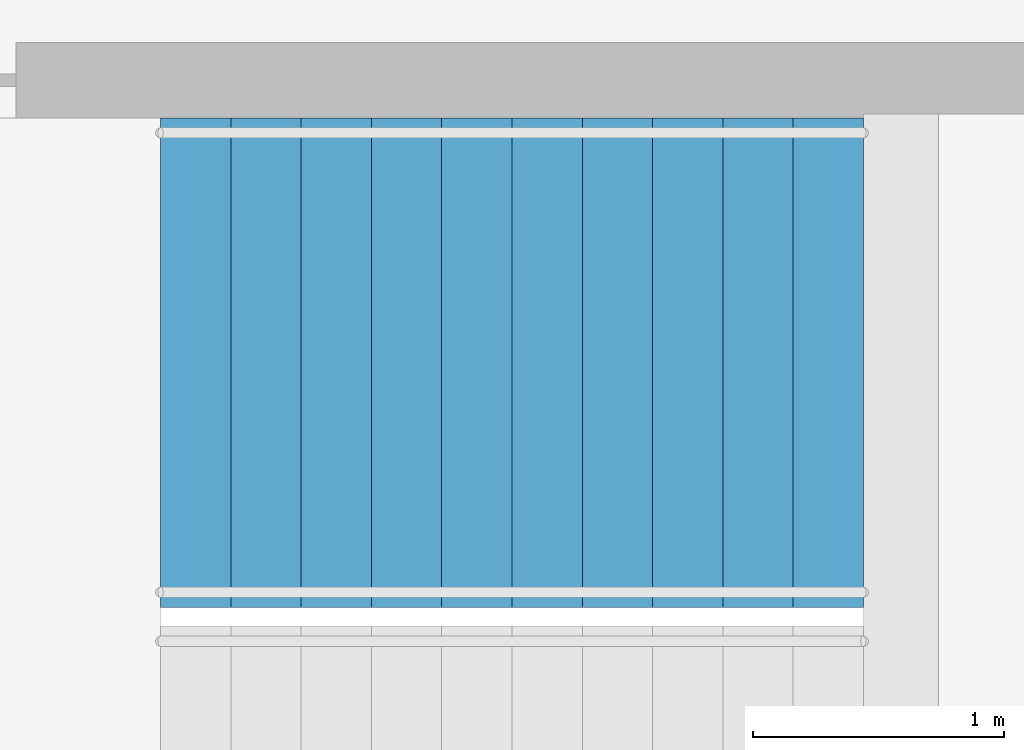
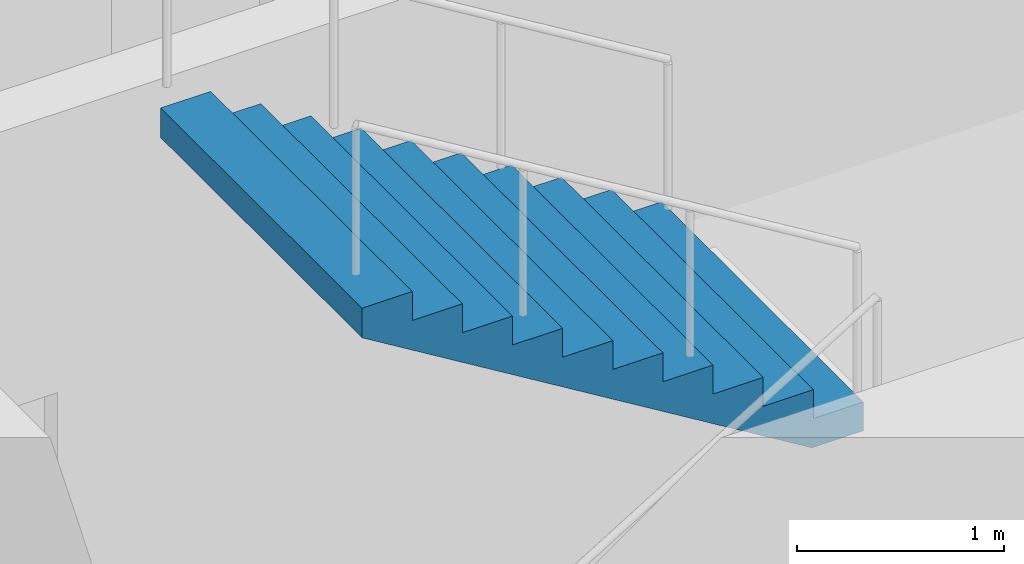
# One storey, part 21 of 25: 1 stair flight, 1 element without a shape of its own.
"""IFC4 building model written with IfcOpenShell, lengths in metres."""

from ifc_helpers import new_model, si_unit, direction, frame, origin, place, context, subcontext, project, spatial, triangles, material, type_object, element, aggregate, save


model = new_model("IFC4")

# Units and contexts
model_context = context("Model", 3, precision=1e-05, world=origin(), true_north=direction((0.0, 1.0)))
body_context = subcontext(model_context, "Body", "Model", "MODEL_VIEW")
ifc_project = project(units=[si_unit("LENGTHUNIT", "METRE"), si_unit("AREAUNIT", "SQUARE_METRE"), si_unit("VOLUMEUNIT", "CUBIC_METRE"), si_unit("PLANEANGLEUNIT", "RADIAN"), si_unit("MASSUNIT", "GRAM", prefix="KILO")], contexts=[model_context])

# Site, building, storey
site_placement = place(None, origin())
site = spatial("IfcSite", under=ifc_project, at=site_placement, CompositionType="ELEMENT")
building_placement = place(site_placement, origin())
building = spatial("IfcBuilding", under=site, at=building_placement, Name="Orbita Commons", CompositionType="ELEMENT")
storey_placement = place(building_placement, frame((0.0, 0.0, 84.39990234375)))
storey = spatial("IfcBuildingStorey", under=building, at=storey_placement, Name="L20", CompositionType="ELEMENT", Elevation=84.39990234375)

# Stair, stair flight
ifc_material_1 = material(Name="Precast concrete C40/50", Category="concrete")
stair_type = type_object("IfcStairType", Name="Exit stair S1 2 flights 11 risers 170", PredefinedType="HALF_TURN_STAIR", material=ifc_material_1)
stair_placement = place(storey_placement, origin())
stair = element("IfcStair", 1, at=stair_placement, inside=storey, type_object=stair_type, Name="Exit stair S1 L20", PredefinedType="HALF_TURN_STAIR")
ifc_material_2 = material(Name="Precast concrete C40/50", Category="concrete")
stair_flight_type = type_object("IfcStairFlightType", Name="Stair flight 11 risers 170 x 280", PredefinedType="STRAIGHT", material=ifc_material_2)
stair_flight_placement = place(storey_placement, frame((23.25, 29.27490234375, 1.875), z_axis=(0.0, 0.0, 1.0), x_axis=(-1.0, 0.0, 0.0)))
stair_flight = element("IfcStairFlight", 2, at=stair_flight_placement, type_object=stair_flight_type, Name="S1 flight 2", NumberOfRisers=11, NumberOfTreads=10, PredefinedType="STRAIGHT", RiserHeight=0.170454545, TreadLength=0.28, context=body_context, shape_type="Tessellation", body=[
    triangles([(0.0, 0.974976, 0.0), (0.0, 0.974976, 0.021307), (0.0, 0.81248, 0.021307), (0.0, 0.81248, 0.0), (0.0, 0.649984, 0.021307), (0.0, 0.649984, 0.0), (0.0, 0.487488, 0.021307), (0.0, 0.487488, 0.0), (0.0, 0.324992, 0.021307), (0.0, 0.324992, 0.0), (0.0, 0.162496, 0.021307), (0.0, 0.162496, 0.0), (0.0, 0.0, 0.021307), (0.0, 0.0, 0.0), (0.0, -0.162496, 0.021307), (0.0, -0.162496, 0.0), (0.0, -0.324992, 0.021307), (0.0, -0.324992, 0.0), (0.0, -0.487488, 0.021307), (0.0, -0.487488, 0.0), (0.0, -0.649984, 0.021307), (0.0, -0.649984, 0.0), (0.0, -0.81248, 0.021307), (0.0, -0.81248, 0.0), (0.0, -0.974976, 0.021307), (0.0, -0.974976, 0.0), (0.0, 0.974976, 0.042614), (0.0, 0.81248, 0.042614), (0.0, 0.649984, 0.042614), (0.0, 0.487488, 0.042614), (0.0, 0.324992, 0.042614), (0.0, 0.162496, 0.042614), (0.0, 0.0, 0.042614), (0.0, -0.162496, 0.042614), (0.0, -0.324992, 0.042614), (0.0, -0.487488, 0.042614), (0.0, -0.649984, 0.042614), (0.0, -0.81248, 0.042614), (0.0, -0.974976, 0.042614), (0.0, 0.974976, 0.06392), (0.0, 0.81248, 0.06392), (0.0, 0.649984, 0.06392), (0.0, 0.487488, 0.06392), (0.0, 0.324992, 0.06392), (0.0, 0.162496, 0.06392), (0.0, 0.0, 0.06392), (0.0, -0.162496, 0.06392), (0.0, -0.324992, 0.06392), (0.0, -0.487488, 0.06392), (0.0, -0.649984, 0.06392), (0.0, -0.81248, 0.06392), (0.0, -0.974976, 0.06392), (0.0, 0.974976, 0.085227), (0.0, 0.81248, 0.085227), (0.0, 0.649984, 0.085227), (0.0, 0.487488, 0.085227), (0.0, 0.324992, 0.085227), (0.0, 0.162496, 0.085227), (0.0, 0.0, 0.085227), (0.0, -0.162496, 0.085227), (0.0, -0.324992, 0.085227), (0.0, -0.487488, 0.085227), (0.0, -0.649984, 0.085227), (0.0, -0.81248, 0.085227), (0.0, -0.974976, 0.085227), (0.0, 0.974976, 0.106534), (0.0, 0.81248, 0.106534), (0.0, 0.649984, 0.106534), (0.0, 0.487488, 0.106534), (0.0, 0.324992, 0.106534), (0.0, 0.162496, 0.106534), (0.0, 0.0, 0.106534), (0.0, -0.162496, 0.106534), (0.0, -0.324992, 0.106534), (0.0, -0.487488, 0.106534), (0.0, -0.649984, 0.106534), (0.0, -0.81248, 0.106534), (0.0, -0.974976, 0.106534), (0.0, 0.974976, 0.127841), (0.0, 0.81248, 0.127841), (0.0, 0.649984, 0.127841), (0.0, 0.487488, 0.127841), (0.0, 0.324992, 0.127841), (0.0, 0.162496, 0.127841), (0.0, 0.0, 0.127841), (0.0, -0.162496, 0.127841), (0.0, -0.324992, 0.127841), (0.0, -0.487488, 0.127841), (0.0, -0.649984, 0.127841), (0.0, -0.81248, 0.127841), (0.0, -0.974976, 0.127841), (0.0, 0.974976, 0.149148), (0.0, 0.81248, 0.149148), (0.0, 0.649984, 0.149148), (0.0, 0.487488, 0.149148), (0.0, 0.324992, 0.149148), (0.0, 0.162496, 0.149148), (0.0, 0.0, 0.149148), (0.0, -0.162496, 0.149148), (0.0, -0.324992, 0.149148), (0.0, -0.487488, 0.149148), (0.0, -0.649984, 0.149148), (0.0, -0.81248, 0.149148), (0.0, -0.974976, 0.149148), (0.0, 0.974976, 0.170455), (0.0, 0.81248, 0.170455), (0.0, 0.649984, 0.170455), (0.0, 0.487488, 0.170455), (0.0, 0.324992, 0.170455), (0.0, 0.162496, 0.170455), (0.0, 0.0, 0.170455), (0.0, -0.162496, 0.170455), (0.0, -0.324992, 0.170455), (0.0, -0.487488, 0.170455), (0.0, -0.649984, 0.170455), (0.0, -0.81248, 0.170455), (0.0, -0.974976, 0.170455), (0.28, 0.974976, 0.170455), (0.28, 0.81248, 0.170455), (0.28, 0.649984, 0.170455), (0.28, 0.487488, 0.170455), (0.28, 0.324992, 0.170455), (0.28, 0.162496, 0.170455), (0.28, 0.0, 0.170455), (0.28, -0.162496, 0.170455), (0.28, -0.324992, 0.170455), (0.28, -0.487488, 0.170455), (0.28, -0.649984, 0.170455), (0.28, -0.81248, 0.170455), (0.28, -0.974976, 0.170455), (0.28, 0.974976, 0.340909), (0.28, 0.81248, 0.340909), (0.28, 0.649984, 0.340909), (0.28, 0.487488, 0.340909), (0.28, 0.324992, 0.340909), (0.28, 0.162496, 0.340909), (0.28, 0.0, 0.340909), (0.28, -0.162496, 0.340909), (0.28, -0.324992, 0.340909), (0.28, -0.487488, 0.340909), (0.28, -0.649984, 0.340909), (0.28, -0.81248, 0.340909), (0.28, -0.974976, 0.340909), (0.56, 0.974976, 0.340909), (0.56, 0.81248, 0.340909), (0.56, 0.649984, 0.340909), (0.56, 0.487488, 0.340909), (0.56, 0.324992, 0.340909), (0.56, 0.162496, 0.340909), (0.56, 0.0, 0.340909), (0.56, -0.162496, 0.340909), (0.56, -0.324992, 0.340909), (0.56, -0.487488, 0.340909), (0.56, -0.649984, 0.340909), (0.56, -0.81248, 0.340909), (0.56, -0.974976, 0.340909), (0.56, 0.974976, 0.511364), (0.56, 0.81248, 0.511364), (0.56, 0.649984, 0.511364), (0.56, 0.487488, 0.511364), (0.56, 0.324992, 0.511364), (0.56, 0.162496, 0.511364), (0.56, 0.0, 0.511364), (0.56, -0.162496, 0.511364), (0.56, -0.324992, 0.511364), (0.56, -0.487488, 0.511364), (0.56, -0.649984, 0.511364), (0.56, -0.81248, 0.511364), (0.56, -0.974976, 0.511364), (0.84, 0.974976, 0.511364), (0.84, 0.81248, 0.511364), (0.84, 0.649984, 0.511364), (0.84, 0.487488, 0.511364), (0.84, 0.324992, 0.511364), (0.84, 0.162496, 0.511364), (0.84, 0.0, 0.511364), (0.84, -0.162496, 0.511364), (0.84, -0.324992, 0.511364), (0.84, -0.487488, 0.511364), (0.84, -0.649984, 0.511364), (0.84, -0.81248, 0.511364), (0.84, -0.974976, 0.511364), (0.84, 0.974976, 0.681818), (0.84, 0.81248, 0.681818), (0.84, 0.649984, 0.681818), (0.84, 0.487488, 0.681818), (0.84, 0.324992, 0.681818), (0.84, 0.162496, 0.681818), (0.84, 0.0, 0.681818), (0.84, -0.162496, 0.681818), (0.84, -0.324992, 0.681818), (0.84, -0.487488, 0.681818), (0.84, -0.649984, 0.681818), (0.84, -0.81248, 0.681818), (0.84, -0.974976, 0.681818), (1.12, 0.974976, 0.681818), (1.12, 0.81248, 0.681818), (1.12, 0.649984, 0.681818), (1.12, 0.487488, 0.681818), (1.12, 0.324992, 0.681818), (1.12, 0.162496, 0.681818), (1.12, 0.0, 0.681818), (1.12, -0.162496, 0.681818), (1.12, -0.324992, 0.681818), (1.12, -0.487488, 0.681818), (1.12, -0.649984, 0.681818), (1.12, -0.81248, 0.681818), (1.12, -0.974976, 0.681818), (1.12, 0.974976, 0.852273), (1.12, 0.81248, 0.852273), (1.12, 0.649984, 0.852273), (1.12, 0.487488, 0.852273), (1.12, 0.324992, 0.852273), (1.12, 0.162496, 0.852273), (1.12, 0.0, 0.852273), (1.12, -0.162496, 0.852273), (1.12, -0.324992, 0.852273), (1.12, -0.487488, 0.852273), (1.12, -0.649984, 0.852273), (1.12, -0.81248, 0.852273), (1.12, -0.974976, 0.852273), (1.4, 0.974976, 0.852273), (1.4, 0.81248, 0.852273), (1.4, 0.649984, 0.852273), (1.4, 0.487488, 0.852273), (1.4, 0.324992, 0.852273), (1.4, 0.162496, 0.852273), (1.4, 0.0, 0.852273), (1.4, -0.162496, 0.852273), (1.4, -0.324992, 0.852273), (1.4, -0.487488, 0.852273), (1.4, -0.649984, 0.852273), (1.4, -0.81248, 0.852273), (1.4, -0.974976, 0.852273), (1.4, 0.974976, 1.022727), (1.4, 0.81248, 1.022727), (1.4, 0.649984, 1.022727), (1.4, 0.487488, 1.022727), (1.4, 0.324992, 1.022727), (1.4, 0.162496, 1.022727), (1.4, 0.0, 1.022727), (1.4, -0.162496, 1.022727), (1.4, -0.324992, 1.022727), (1.4, -0.487488, 1.022727), (1.4, -0.649984, 1.022727), (1.4, -0.81248, 1.022727), (1.4, -0.974976, 1.022727), (1.68, 0.974976, 1.022727), (1.68, 0.81248, 1.022727), (1.68, 0.649984, 1.022727), (1.68, 0.487488, 1.022727), (1.68, 0.324992, 1.022727), (1.68, 0.162496, 1.022727), (1.68, 0.0, 1.022727), (1.68, -0.162496, 1.022727), (1.68, -0.324992, 1.022727), (1.68, -0.487488, 1.022727), (1.68, -0.649984, 1.022727), (1.68, -0.81248, 1.022727), (1.68, -0.974976, 1.022727), (1.68, 0.974976, 1.193182), (1.68, 0.81248, 1.193182), (1.68, 0.649984, 1.193182), (1.68, 0.487488, 1.193182), (1.68, 0.324992, 1.193182), (1.68, 0.162496, 1.193182), (1.68, 0.0, 1.193182), (1.68, -0.162496, 1.193182), (1.68, -0.324992, 1.193182), (1.68, -0.487488, 1.193182), (1.68, -0.649984, 1.193182), (1.68, -0.81248, 1.193182), (1.68, -0.974976, 1.193182), (1.96, 0.974976, 1.193182), (1.96, 0.81248, 1.193182), (1.96, 0.649984, 1.193182), (1.96, 0.487488, 1.193182), (1.96, 0.324992, 1.193182), (1.96, 0.162496, 1.193182), (1.96, 0.0, 1.193182), (1.96, -0.162496, 1.193182), (1.96, -0.324992, 1.193182), (1.96, -0.487488, 1.193182), (1.96, -0.649984, 1.193182), (1.96, -0.81248, 1.193182), (1.96, -0.974976, 1.193182), (1.96, 0.974976, 1.363636), (1.96, 0.81248, 1.363636), (1.96, 0.649984, 1.363636), (1.96, 0.487488, 1.363636), (1.96, 0.324992, 1.363636), (1.96, 0.162496, 1.363636), (1.96, 0.0, 1.363636), (1.96, -0.162496, 1.363636), (1.96, -0.324992, 1.363636), (1.96, -0.487488, 1.363636), (1.96, -0.649984, 1.363636), (1.96, -0.81248, 1.363636), (1.96, -0.974976, 1.363636), (2.24, 0.974976, 1.363636), (2.24, 0.81248, 1.363636), (2.24, 0.649984, 1.363636), (2.24, 0.487488, 1.363636), (2.24, 0.324992, 1.363636), (2.24, 0.162496, 1.363636), (2.24, 0.0, 1.363636), (2.24, -0.162496, 1.363636), (2.24, -0.324992, 1.363636), (2.24, -0.487488, 1.363636), (2.24, -0.649984, 1.363636), (2.24, -0.81248, 1.363636), (2.24, -0.974976, 1.363636), (2.24, 0.974976, 1.534091), (2.24, 0.81248, 1.534091), (2.24, 0.649984, 1.534091), (2.24, 0.487488, 1.534091), (2.24, 0.324992, 1.534091), (2.24, 0.162496, 1.534091), (2.24, 0.0, 1.534091), (2.24, -0.162496, 1.534091), (2.24, -0.324992, 1.534091), (2.24, -0.487488, 1.534091), (2.24, -0.649984, 1.534091), (2.24, -0.81248, 1.534091), (2.24, -0.974976, 1.534091), (2.52, 0.974976, 1.534091), (2.52, 0.81248, 1.534091), (2.52, 0.649984, 1.534091), (2.52, 0.487488, 1.534091), (2.52, 0.324992, 1.534091), (2.52, 0.162496, 1.534091), (2.52, 0.0, 1.534091), (2.52, -0.162496, 1.534091), (2.52, -0.324992, 1.534091), (2.52, -0.487488, 1.534091), (2.52, -0.649984, 1.534091), (2.52, -0.81248, 1.534091), (2.52, -0.974976, 1.534091), (2.52, 0.974976, 1.704545), (2.52, 0.81248, 1.704545), (2.52, 0.649984, 1.704545), (2.52, 0.487488, 1.704545), (2.52, 0.324992, 1.704545), (2.52, 0.162496, 1.704545), (2.52, 0.0, 1.704545), (2.52, -0.162496, 1.704545), (2.52, -0.324992, 1.704545), (2.52, -0.487488, 1.704545), (2.52, -0.649984, 1.704545), (2.52, -0.81248, 1.704545), (2.52, -0.974976, 1.704545), (2.8, 0.974976, 1.704545), (2.8, 0.81248, 1.704545), (2.8, 0.649984, 1.704545), (2.8, 0.487488, 1.704545), (2.8, 0.324992, 1.704545), (2.8, 0.162496, 1.704545), (2.8, 0.0, 1.704545), (2.8, -0.162496, 1.704545), (2.8, -0.324992, 1.704545), (2.8, -0.487488, 1.704545), (2.8, -0.649984, 1.704545), (2.8, -0.81248, 1.704545), (2.8, -0.974976, 1.704545), (2.8, 0.974976, 1.682609), (2.8, 0.81248, 1.682609), (2.8, 0.649984, 1.682609), (2.8, 0.487488, 1.682609), (2.8, 0.324992, 1.682609), (2.8, 0.162496, 1.682609), (2.8, 0.0, 1.682609), (2.8, -0.162496, 1.682609), (2.8, -0.324992, 1.682609), (2.8, -0.487488, 1.682609), (2.8, -0.649984, 1.682609), (2.8, -0.81248, 1.682609), (2.8, -0.974976, 1.682609), (2.8, 0.974976, 1.660672), (2.8, 0.81248, 1.660672), (2.8, 0.649984, 1.660672), (2.8, 0.487488, 1.660672), (2.8, 0.324992, 1.660672), (2.8, 0.162496, 1.660672), (2.8, 0.0, 1.660672), (2.8, -0.162496, 1.660672), (2.8, -0.324992, 1.660672), (2.8, -0.487488, 1.660672), (2.8, -0.649984, 1.660672), (2.8, -0.81248, 1.660672), (2.8, -0.974976, 1.660672), (2.8, 0.974976, 1.638735), (2.8, 0.81248, 1.638735), (2.8, 0.649984, 1.638735), (2.8, 0.487488, 1.638735), (2.8, 0.324992, 1.638735), (2.8, 0.162496, 1.638735), (2.8, 0.0, 1.638735), (2.8, -0.162496, 1.638735), (2.8, -0.324992, 1.638735), (2.8, -0.487488, 1.638735), (2.8, -0.649984, 1.638735), (2.8, -0.81248, 1.638735), (2.8, -0.974976, 1.638735), (2.8, 0.974976, 1.616798), (2.8, 0.81248, 1.616798), (2.8, 0.649984, 1.616798), (2.8, 0.487488, 1.616798), (2.8, 0.324992, 1.616798), (2.8, 0.162496, 1.616798), (2.8, 0.0, 1.616798), (2.8, -0.162496, 1.616798), (2.8, -0.324992, 1.616798), (2.8, -0.487488, 1.616798), (2.8, -0.649984, 1.616798), (2.8, -0.81248, 1.616798), (2.8, -0.974976, 1.616798), (2.8, 0.974976, 1.594861), (2.8, 0.81248, 1.594861), (2.8, 0.649984, 1.594861), (2.8, 0.487488, 1.594861), (2.8, 0.324992, 1.594861), (2.8, 0.162496, 1.594861), (2.8, 0.0, 1.594861), (2.8, -0.162496, 1.594861), (2.8, -0.324992, 1.594861), (2.8, -0.487488, 1.594861), (2.8, -0.649984, 1.594861), (2.8, -0.81248, 1.594861), (2.8, -0.974976, 1.594861), (2.8, 0.974976, 1.572925), (2.8, 0.81248, 1.572925), (2.8, 0.649984, 1.572925), (2.8, 0.487488, 1.572925), (2.8, 0.324992, 1.572925), (2.8, 0.162496, 1.572925), (2.8, 0.0, 1.572925), (2.8, -0.162496, 1.572925), (2.8, -0.324992, 1.572925), (2.8, -0.487488, 1.572925), (2.8, -0.649984, 1.572925), (2.8, -0.81248, 1.572925), (2.8, -0.974976, 1.572925), (2.8, 0.974976, 1.550988), (2.8, 0.81248, 1.550988), (2.8, 0.649984, 1.550988), (2.8, 0.487488, 1.550988), (2.8, 0.324992, 1.550988), (2.8, 0.162496, 1.550988), (2.8, 0.0, 1.550988), (2.8, -0.162496, 1.550988), (2.8, -0.324992, 1.550988), (2.8, -0.487488, 1.550988), (2.8, -0.649984, 1.550988), (2.8, -0.81248, 1.550988), (2.8, -0.974976, 1.550988), (2.8, 0.974976, 1.529051), (2.8, 0.81248, 1.529051), (2.8, 0.649984, 1.529051), (2.8, 0.487488, 1.529051), (2.8, 0.324992, 1.529051), (2.8, 0.162496, 1.529051), (2.8, 0.0, 1.529051), (2.8, -0.162496, 1.529051), (2.8, -0.324992, 1.529051), (2.8, -0.487488, 1.529051), (2.8, -0.649984, 1.529051), (2.8, -0.81248, 1.529051), (2.8, -0.974976, 1.529051), (0.288279, 0.974976, 0.0), (0.288279, 0.81248, 0.0), (0.288279, 0.649984, 0.0), (0.288279, 0.487488, 0.0), (0.288279, 0.324992, 0.0), (0.288279, 0.162496, 0.0), (0.288279, 0.0, 0.0), (0.288279, -0.162496, 0.0), (0.288279, -0.324992, 0.0), (0.288279, -0.487488, 0.0), (0.288279, -0.649984, 0.0), (0.288279, -0.81248, 0.0), (0.288279, -0.974976, 0.0)], [[3, 2, 1], [4, 3, 1], [5, 3, 4], [6, 5, 4], [7, 5, 6], [8, 7, 6], [9, 7, 8], [10, 9, 8], [11, 9, 10], [12, 11, 10], [13, 11, 12], [14, 13, 12], [15, 13, 14], [16, 15, 14], [17, 15, 16], [18, 17, 16], [19, 17, 18], [20, 19, 18], [21, 19, 20], [22, 21, 20], [23, 21, 22], [24, 23, 22], [25, 23, 24], [26, 25, 24], [28, 27, 2], [3, 28, 2], [29, 28, 3], [5, 29, 3], [30, 29, 5], [7, 30, 5], [31, 30, 7], [9, 31, 7], [32, 31, 9], [11, 32, 9], [33, 32, 11], [13, 33, 11], [34, 33, 13], [15, 34, 13], [35, 34, 15], [17, 35, 15], [36, 35, 17], [19, 36, 17], [37, 36, 19], [21, 37, 19], [38, 37, 21], [23, 38, 21], [39, 38, 23], [25, 39, 23], [41, 40, 27], [28, 41, 27], [42, 41, 28], [29, 42, 28], [43, 42, 29], [30, 43, 29], [44, 43, 30], [31, 44, 30], [45, 44, 31], [32, 45, 31], [46, 45, 32], [33, 46, 32], [47, 46, 33], [34, 47, 33], [48, 47, 34], [35, 48, 34], [49, 48, 35], [36, 49, 35], [50, 49, 36], [37, 50, 36], [51, 50, 37], [38, 51, 37], [52, 51, 38], [39, 52, 38], [54, 53, 40], [41, 54, 40], [55, 54, 41], [42, 55, 41], [56, 55, 42], [43, 56, 42], [57, 56, 43], [44, 57, 43], [58, 57, 44], [45, 58, 44], [59, 58, 45], [46, 59, 45], [60, 59, 46], [47, 60, 46], [61, 60, 47], [48, 61, 47], [62, 61, 48], [49, 62, 48], [63, 62, 49], [50, 63, 49], [64, 63, 50], [51, 64, 50], [65, 64, 51], [52, 65, 51], [67, 66, 53], [54, 67, 53], [68, 67, 54], [55, 68, 54], [69, 68, 55], [56, 69, 55], [70, 69, 56], [57, 70, 56], [71, 70, 57], [58, 71, 57], [72, 71, 58], [59, 72, 58], [73, 72, 59], [60, 73, 59], [74, 73, 60], [61, 74, 60], [75, 74, 61], [62, 75, 61], [76, 75, 62], [63, 76, 62], [77, 76, 63], [64, 77, 63], [78, 77, 64], [65, 78, 64], [80, 79, 66], [67, 80, 66], [81, 80, 67], [68, 81, 67], [82, 81, 68], [69, 82, 68], [83, 82, 69], [70, 83, 69], [84, 83, 70], [71, 84, 70], [85, 84, 71], [72, 85, 71], [86, 85, 72], [73, 86, 72], [87, 86, 73], [74, 87, 73], [88, 87, 74], [75, 88, 74], [89, 88, 75], [76, 89, 75], [90, 89, 76], [77, 90, 76], [91, 90, 77], [78, 91, 77], [93, 92, 79], [80, 93, 79], [94, 93, 80], [81, 94, 80], [95, 94, 81], [82, 95, 81], [96, 95, 82], [83, 96, 82], [97, 96, 83], [84, 97, 83], [98, 97, 84], [85, 98, 84], [99, 98, 85], [86, 99, 85], [100, 99, 86], [87, 100, 86], [101, 100, 87], [88, 101, 87], [102, 101, 88], [89, 102, 88], [103, 102, 89], [90, 103, 89], [104, 103, 90], [91, 104, 90], [106, 105, 92], [93, 106, 92], [107, 106, 93], [94, 107, 93], [108, 107, 94], [95, 108, 94], [109, 108, 95], [96, 109, 95], [110, 109, 96], [97, 110, 96], [111, 110, 97], [98, 111, 97], [112, 111, 98], [99, 112, 98], [113, 112, 99], [100, 113, 99], [114, 113, 100], [101, 114, 100], [115, 114, 101], [102, 115, 101], [116, 115, 102], [103, 116, 102], [117, 116, 103], [104, 117, 103], [119, 118, 105], [106, 119, 105], [120, 119, 106], [107, 120, 106], [121, 120, 107], [108, 121, 107], [122, 121, 108], [109, 122, 108], [123, 122, 109], [110, 123, 109], [124, 123, 110], [111, 124, 110], [125, 124, 111], [112, 125, 111], [126, 125, 112], [113, 126, 112], [127, 126, 113], [114, 127, 113], [128, 127, 114], [115, 128, 114], [129, 128, 115], [116, 129, 115], [130, 129, 116], [117, 130, 116], [132, 131, 118], [119, 132, 118], [133, 132, 119], [120, 133, 119], [134, 133, 120], [121, 134, 120], [135, 134, 121], [122, 135, 121], [136, 135, 122], [123, 136, 122], [137, 136, 123], [124, 137, 123], [138, 137, 124], [125, 138, 124], [139, 138, 125], [126, 139, 125], [140, 139, 126], [127, 140, 126], [141, 140, 127], [128, 141, 127], [142, 141, 128], [129, 142, 128], [143, 142, 129], [130, 143, 129], [145, 144, 131], [132, 145, 131], [146, 145, 132], [133, 146, 132], [147, 146, 133], [134, 147, 133], [148, 147, 134], [135, 148, 134], [149, 148, 135], [136, 149, 135], [150, 149, 136], [137, 150, 136], [151, 150, 137], [138, 151, 137], [152, 151, 138], [139, 152, 138], [153, 152, 139], [140, 153, 139], [154, 153, 140], [141, 154, 140], [155, 154, 141], [142, 155, 141], [156, 155, 142], [143, 156, 142], [158, 157, 144], [145, 158, 144], [159, 158, 145], [146, 159, 145], [160, 159, 146], [147, 160, 146], [161, 160, 147], [148, 161, 147], [162, 161, 148], [149, 162, 148], [163, 162, 149], [150, 163, 149], [164, 163, 150], [151, 164, 150], [165, 164, 151], [152, 165, 151], [166, 165, 152], [153, 166, 152], [167, 166, 153], [154, 167, 153], [168, 167, 154], [155, 168, 154], [169, 168, 155], [156, 169, 155], [171, 170, 157], [158, 171, 157], [172, 171, 158], [159, 172, 158], [173, 172, 159], [160, 173, 159], [174, 173, 160], [161, 174, 160], [175, 174, 161], [162, 175, 161], [176, 175, 162], [163, 176, 162], [177, 176, 163], [164, 177, 163], [178, 177, 164], [165, 178, 164], [179, 178, 165], [166, 179, 165], [180, 179, 166], [167, 180, 166], [181, 180, 167], [168, 181, 167], [182, 181, 168], [169, 182, 168], [184, 183, 170], [171, 184, 170], [185, 184, 171], [172, 185, 171], [186, 185, 172], [173, 186, 172], [187, 186, 173], [174, 187, 173], [188, 187, 174], [175, 188, 174], [189, 188, 175], [176, 189, 175], [190, 189, 176], [177, 190, 176], [191, 190, 177], [178, 191, 177], [192, 191, 178], [179, 192, 178], [193, 192, 179], [180, 193, 179], [194, 193, 180], [181, 194, 180], [195, 194, 181], [182, 195, 181], [197, 196, 183], [184, 197, 183], [198, 197, 184], [185, 198, 184], [199, 198, 185], [186, 199, 185], [200, 199, 186], [187, 200, 186], [201, 200, 187], [188, 201, 187], [202, 201, 188], [189, 202, 188], [203, 202, 189], [190, 203, 189], [204, 203, 190], [191, 204, 190], [205, 204, 191], [192, 205, 191], [206, 205, 192], [193, 206, 192], [207, 206, 193], [194, 207, 193], [208, 207, 194], [195, 208, 194], [210, 209, 196], [197, 210, 196], [211, 210, 197], [198, 211, 197], [212, 211, 198], [199, 212, 198], [213, 212, 199], [200, 213, 199], [214, 213, 200], [201, 214, 200], [215, 214, 201], [202, 215, 201], [216, 215, 202], [203, 216, 202], [217, 216, 203], [204, 217, 203], [218, 217, 204], [205, 218, 204], [219, 218, 205], [206, 219, 205], [220, 219, 206], [207, 220, 206], [221, 220, 207], [208, 221, 207], [223, 222, 209], [210, 223, 209], [224, 223, 210], [211, 224, 210], [225, 224, 211], [212, 225, 211], [226, 225, 212], [213, 226, 212], [227, 226, 213], [214, 227, 213], [228, 227, 214], [215, 228, 214], [229, 228, 215], [216, 229, 215], [230, 229, 216], [217, 230, 216], [231, 230, 217], [218, 231, 217], [232, 231, 218], [219, 232, 218], [233, 232, 219], [220, 233, 219], [234, 233, 220], [221, 234, 220], [236, 235, 222], [223, 236, 222], [237, 236, 223], [224, 237, 223], [238, 237, 224], [225, 238, 224], [239, 238, 225], [226, 239, 225], [240, 239, 226], [227, 240, 226], [241, 240, 227], [228, 241, 227], [242, 241, 228], [229, 242, 228], [243, 242, 229], [230, 243, 229], [244, 243, 230], [231, 244, 230], [245, 244, 231], [232, 245, 231], [246, 245, 232], [233, 246, 232], [247, 246, 233], [234, 247, 233], [249, 248, 235], [236, 249, 235], [250, 249, 236], [237, 250, 236], [251, 250, 237], [238, 251, 237], [252, 251, 238], [239, 252, 238], [253, 252, 239], [240, 253, 239], [254, 253, 240], [241, 254, 240], [255, 254, 241], [242, 255, 241], [256, 255, 242], [243, 256, 242], [257, 256, 243], [244, 257, 243], [258, 257, 244], [245, 258, 244], [259, 258, 245], [246, 259, 245], [260, 259, 246], [247, 260, 246], [262, 261, 248], [249, 262, 248], [263, 262, 249], [250, 263, 249], [264, 263, 250], [251, 264, 250], [265, 264, 251], [252, 265, 251], [266, 265, 252], [253, 266, 252], [267, 266, 253], [254, 267, 253], [268, 267, 254], [255, 268, 254], [269, 268, 255], [256, 269, 255], [270, 269, 256], [257, 270, 256], [271, 270, 257], [258, 271, 257], [272, 271, 258], [259, 272, 258], [273, 272, 259], [260, 273, 259], [275, 274, 261], [262, 275, 261], [276, 275, 262], [263, 276, 262], [277, 276, 263], [264, 277, 263], [278, 277, 264], [265, 278, 264], [279, 278, 265], [266, 279, 265], [280, 279, 266], [267, 280, 266], [281, 280, 267], [268, 281, 267], [282, 281, 268], [269, 282, 268], [283, 282, 269], [270, 283, 269], [284, 283, 270], [271, 284, 270], [285, 284, 271], [272, 285, 271], [286, 285, 272], [273, 286, 272], [288, 287, 274], [275, 288, 274], [289, 288, 275], [276, 289, 275], [290, 289, 276], [277, 290, 276], [291, 290, 277], [278, 291, 277], [292, 291, 278], [279, 292, 278], [293, 292, 279], [280, 293, 279], [294, 293, 280], [281, 294, 280], [295, 294, 281], [282, 295, 281], [296, 295, 282], [283, 296, 282], [297, 296, 283], [284, 297, 283], [298, 297, 284], [285, 298, 284], [299, 298, 285], [286, 299, 285], [301, 300, 287], [288, 301, 287], [302, 301, 288], [289, 302, 288], [303, 302, 289], [290, 303, 289], [304, 303, 290], [291, 304, 290], [305, 304, 291], [292, 305, 291], [306, 305, 292], [293, 306, 292], [307, 306, 293], [294, 307, 293], [308, 307, 294], [295, 308, 294], [309, 308, 295], [296, 309, 295], [310, 309, 296], [297, 310, 296], [311, 310, 297], [298, 311, 297], [312, 311, 298], [299, 312, 298], [314, 313, 300], [301, 314, 300], [315, 314, 301], [302, 315, 301], [316, 315, 302], [303, 316, 302], [317, 316, 303], [304, 317, 303], [318, 317, 304], [305, 318, 304], [319, 318, 305], [306, 319, 305], [320, 319, 306], [307, 320, 306], [321, 320, 307], [308, 321, 307], [322, 321, 308], [309, 322, 308], [323, 322, 309], [310, 323, 309], [324, 323, 310], [311, 324, 310], [325, 324, 311], [312, 325, 311], [327, 326, 313], [314, 327, 313], [328, 327, 314], [315, 328, 314], [329, 328, 315], [316, 329, 315], [330, 329, 316], [317, 330, 316], [331, 330, 317], [318, 331, 317], [332, 331, 318], [319, 332, 318], [333, 332, 319], [320, 333, 319], [334, 333, 320], [321, 334, 320], [335, 334, 321], [322, 335, 321], [336, 335, 322], [323, 336, 322], [337, 336, 323], [324, 337, 323], [338, 337, 324], [325, 338, 324], [340, 339, 326], [327, 340, 326], [341, 340, 327], [328, 341, 327], [342, 341, 328], [329, 342, 328], [343, 342, 329], [330, 343, 329], [344, 343, 330], [331, 344, 330], [345, 344, 331], [332, 345, 331], [346, 345, 332], [333, 346, 332], [347, 346, 333], [334, 347, 333], [348, 347, 334], [335, 348, 334], [349, 348, 335], [336, 349, 335], [350, 349, 336], [337, 350, 336], [351, 350, 337], [338, 351, 337], [353, 352, 339], [340, 353, 339], [354, 353, 340], [341, 354, 340], [355, 354, 341], [342, 355, 341], [356, 355, 342], [343, 356, 342], [357, 356, 343], [344, 357, 343], [358, 357, 344], [345, 358, 344], [359, 358, 345], [346, 359, 345], [360, 359, 346], [347, 360, 346], [361, 360, 347], [348, 361, 347], [362, 361, 348], [349, 362, 348], [363, 362, 349], [350, 363, 349], [364, 363, 350], [351, 364, 350], [366, 365, 352], [353, 366, 352], [367, 366, 353], [354, 367, 353], [368, 367, 354], [355, 368, 354], [369, 368, 355], [356, 369, 355], [370, 369, 356], [357, 370, 356], [371, 370, 357], [358, 371, 357], [372, 371, 358], [359, 372, 358], [373, 372, 359], [360, 373, 359], [374, 373, 360], [361, 374, 360], [375, 374, 361], [362, 375, 361], [376, 375, 362], [363, 376, 362], [377, 376, 363], [364, 377, 363], [379, 378, 365], [366, 379, 365], [380, 379, 366], [367, 380, 366], [381, 380, 367], [368, 381, 367], [382, 381, 368], [369, 382, 368], [383, 382, 369], [370, 383, 369], [384, 383, 370], [371, 384, 370], [385, 384, 371], [372, 385, 371], [386, 385, 372], [373, 386, 372], [387, 386, 373], [374, 387, 373], [388, 387, 374], [375, 388, 374], [389, 388, 375], [376, 389, 375], [390, 389, 376], [377, 390, 376], [392, 391, 378], [379, 392, 378], [393, 392, 379], [380, 393, 379], [394, 393, 380], [381, 394, 380], [395, 394, 381], [382, 395, 381], [396, 395, 382], [383, 396, 382], [397, 396, 383], [384, 397, 383], [398, 397, 384], [385, 398, 384], [399, 398, 385], [386, 399, 385], [400, 399, 386], [387, 400, 386], [401, 400, 387], [388, 401, 387], [402, 401, 388], [389, 402, 388], [403, 402, 389], [390, 403, 389], [405, 404, 391], [392, 405, 391], [406, 405, 392], [393, 406, 392], [407, 406, 393], [394, 407, 393], [408, 407, 394], [395, 408, 394], [409, 408, 395], [396, 409, 395], [410, 409, 396], [397, 410, 396], [411, 410, 397], [398, 411, 397], [412, 411, 398], [399, 412, 398], [413, 412, 399], [400, 413, 399], [414, 413, 400], [401, 414, 400], [415, 414, 401], [402, 415, 401], [416, 415, 402], [403, 416, 402], [418, 417, 404], [405, 418, 404], [419, 418, 405], [406, 419, 405], [420, 419, 406], [407, 420, 406], [421, 420, 407], [408, 421, 407], [422, 421, 408], [409, 422, 408], [423, 422, 409], [410, 423, 409], [424, 423, 410], [411, 424, 410], [425, 424, 411], [412, 425, 411], [426, 425, 412], [413, 426, 412], [427, 426, 413], [414, 427, 413], [428, 427, 414], [415, 428, 414], [429, 428, 415], [416, 429, 415], [431, 430, 417], [418, 431, 417], [432, 431, 418], [419, 432, 418], [433, 432, 419], [420, 433, 419], [434, 433, 420], [421, 434, 420], [435, 434, 421], [422, 435, 421], [436, 435, 422], [423, 436, 422], [437, 436, 423], [424, 437, 423], [438, 437, 424], [425, 438, 424], [439, 438, 425], [426, 439, 425], [440, 439, 426], [427, 440, 426], [441, 440, 427], [428, 441, 427], [442, 441, 428], [429, 442, 428], [444, 443, 430], [431, 444, 430], [445, 444, 431], [432, 445, 431], [446, 445, 432], [433, 446, 432], [447, 446, 433], [434, 447, 433], [448, 447, 434], [435, 448, 434], [449, 448, 435], [436, 449, 435], [450, 449, 436], [437, 450, 436], [451, 450, 437], [438, 451, 437], [452, 451, 438], [439, 452, 438], [453, 452, 439], [440, 453, 439], [454, 453, 440], [441, 454, 440], [455, 454, 441], [442, 455, 441], [457, 456, 443], [444, 457, 443], [458, 457, 444], [445, 458, 444], [459, 458, 445], [446, 459, 445], [460, 459, 446], [447, 460, 446], [461, 460, 447], [448, 461, 447], [462, 461, 448], [449, 462, 448], [463, 462, 449], [450, 463, 449], [464, 463, 450], [451, 464, 450], [465, 464, 451], [452, 465, 451], [466, 465, 452], [453, 466, 452], [467, 466, 453], [454, 467, 453], [468, 467, 454], [455, 468, 454], [470, 469, 456], [457, 470, 456], [471, 470, 457], [458, 471, 457], [472, 471, 458], [459, 472, 458], [473, 472, 459], [460, 473, 459], [474, 473, 460], [461, 474, 460], [475, 474, 461], [462, 475, 461], [476, 475, 462], [463, 476, 462], [477, 476, 463], [464, 477, 463], [478, 477, 464], [465, 478, 464], [479, 478, 465], [466, 479, 465], [480, 479, 466], [467, 480, 466], [481, 480, 467], [468, 481, 467], [4, 1, 469], [470, 4, 469], [6, 4, 470], [471, 6, 470], [8, 6, 471], [472, 8, 471], [10, 8, 472], [473, 10, 472], [12, 10, 473], [474, 12, 473], [14, 12, 474], [475, 14, 474], [16, 14, 475], [476, 16, 475], [18, 16, 476], [477, 18, 476], [20, 18, 477], [478, 20, 477], [22, 20, 478], [479, 22, 478], [24, 22, 479], [480, 24, 479], [26, 24, 480], [481, 26, 480], [456, 469, 1], [26, 481, 468], [443, 456, 1], [26, 468, 455], [430, 443, 1], [26, 455, 442], [417, 430, 1], [26, 442, 429], [404, 417, 1], [26, 429, 416], [391, 404, 1], [26, 416, 403], [378, 391, 1], [26, 403, 390], [365, 378, 1], [26, 390, 377], [339, 352, 365], [377, 364, 351], [326, 339, 365], [377, 351, 338], [300, 313, 326], [338, 325, 312], [300, 326, 365], [377, 338, 312], [274, 287, 300], [312, 299, 286], [274, 300, 365], [377, 312, 286], [248, 261, 274], [286, 273, 260], [248, 274, 365], [377, 286, 260], [222, 235, 248], [260, 247, 234], [222, 248, 365], [377, 260, 234], [196, 209, 222], [234, 221, 208], [196, 222, 365], [377, 234, 208], [170, 183, 196], [208, 195, 182], [170, 196, 365], [377, 208, 182], [144, 157, 170], [182, 169, 156], [144, 170, 365], [377, 182, 156], [118, 131, 144], [156, 143, 130], [118, 144, 365], [377, 156, 130], [118, 365, 1], [26, 377, 130], [92, 105, 118], [130, 117, 104], [79, 92, 118], [130, 104, 91], [66, 79, 118], [130, 91, 78], [53, 66, 118], [130, 78, 65], [40, 53, 118], [130, 65, 52], [27, 40, 118], [130, 52, 39], [2, 27, 118], [130, 39, 25], [1, 2, 118], [130, 25, 26]], closed=True),
])
aggregate(stair, [stair_flight])

save(model, "model.ifc")
